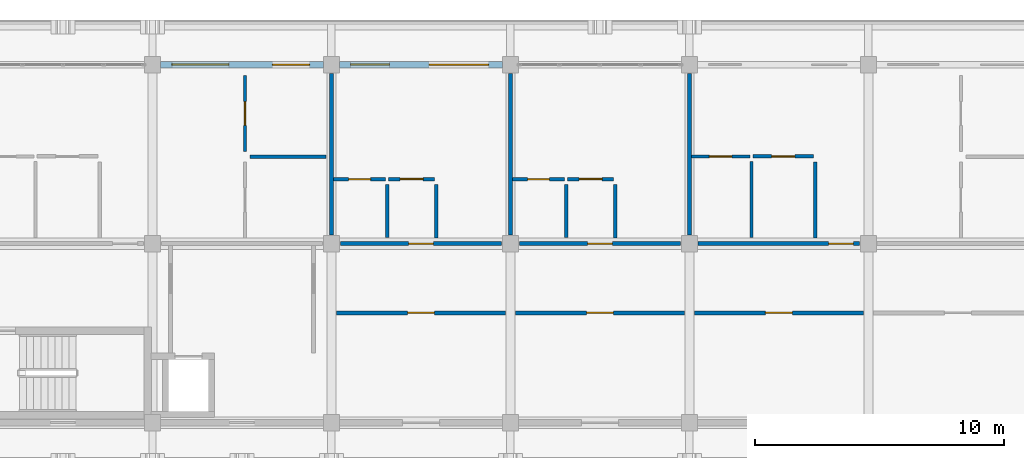
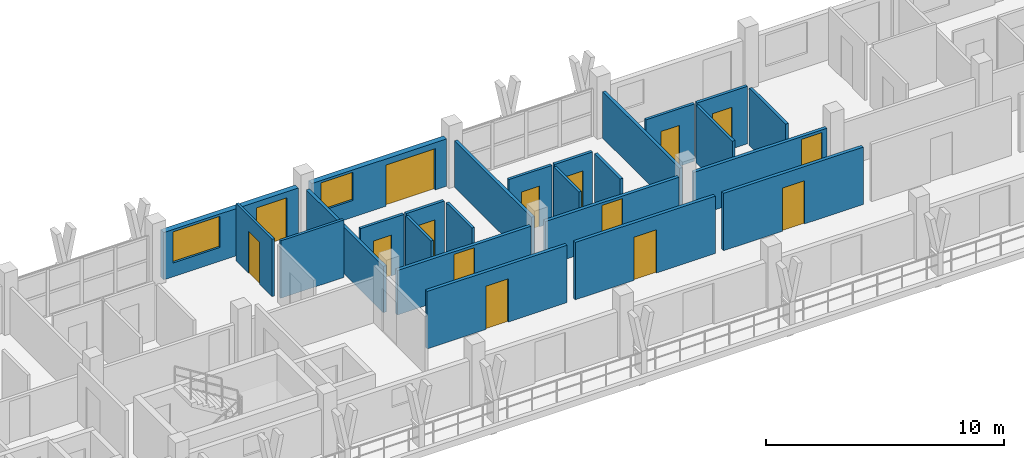
# One storey, part 49 of 78: 25 walls, 15 doors, 2 windows, 17 openings.
"""IFC4 building model written with IfcOpenShell, lengths in metres."""

from ifc_helpers import new_model, si_unit, direction, frame, frame_2d, origin, place, context, subcontext, project, spatial, rectangle, extrude, material, layer, layer_set, type_object, element, fill, save


model = new_model("IFC4")

# Units and contexts
model_context = context("Model", 3, precision=1e-05, world=origin(), true_north=direction((0.0, 1.0)))
body_context = subcontext(model_context, "Body", "Model", "MODEL_VIEW")
ifc_project = project(units=[si_unit("LENGTHUNIT", "METRE"), si_unit("AREAUNIT", "SQUARE_METRE"), si_unit("VOLUMEUNIT", "CUBIC_METRE"), si_unit("PLANEANGLEUNIT", "RADIAN"), si_unit("MASSUNIT", "GRAM", prefix="KILO")], contexts=[model_context])

# Site, building, storey
site_placement = place(None, origin())
site = spatial("IfcSite", under=ifc_project, at=site_placement, CompositionType="ELEMENT")
building_placement = place(site_placement, origin())
building = spatial("IfcBuilding", under=site, at=building_placement, Name="Suanplinth Sawtooth Commons", CompositionType="ELEMENT")
storey_placement = place(building_placement, frame((0.0, 0.0, 15.39990234375)))
storey = spatial("IfcBuildingStorey", under=building, at=storey_placement, Name="L04", CompositionType="ELEMENT", Elevation=15.39990234375)

# Wall, openings, door, window
ifc_material_1 = material(Name="Precast concrete C40/50", Category="concrete")
ifc_layer_1 = layer(ifc_material_1, 0.260009765625, Name="Insulated precast courtyard facade wall 260mm")
ifc_layer_set_1 = layer_set([ifc_layer_1], Name="Precast concrete C40/50")
wall_type_1 = type_object("IfcWallType", Name="W-EX02", PredefinedType="ELEMENTEDWALL", material=ifc_layer_set_1)
wall_1_placement = place(storey_placement, frame((65.125, 122.39990234375, 0.0), z_axis=(0.0, 0.0, 1.0), x_axis=(1.0, 0.0, 0.0)))
wall_1 = element("IfcWall", 1, at=wall_1_placement, inside=storey, type_object=wall_type_1, Name="Facade Wall W-L04-A-N-9", PredefinedType="ELEMENTEDWALL", context=body_context, shape_type="SweptSolid", body=[
    extrude(rectangle(XDim=6.550048828125, YDim=0.260009765625, at=frame_2d((3.27490234375, 0.0))), origin(), (0.0, 0.0, 1.0), 2.43017578125),
])
opening_1_placement = place(wall_1_placement, frame((4.5, 0.0, 0.0)))
opening_1 = element("IfcOpeningElement", 2, at=opening_1_placement, cuts=wall_1, Name="Opening ED0321", PredefinedType="OPENING", context=body_context, shape_type="SweptSolid", body=[
    extrude(rectangle(XDim=1.5, YDim=2.1201171875, at=frame_2d((0.75, 1.06005859375))), frame((0.0, 0.14501953125, 0.0), z_axis=(0.0, -1.0, 0.0), x_axis=(1.0, 0.0, 0.0)), (0.0, 0.0, 1.0), 0.289794921875),
])
opening_2_placement = place(wall_1_placement, frame((0.449951171875, 0.0, 0.7099609375)))
opening_2 = element("IfcOpeningElement", 3, at=opening_2_placement, cuts=wall_1, Name="Opening W0423", PredefinedType="OPENING", context=body_context, shape_type="SweptSolid", body=[
    extrude(rectangle(XDim=2.300048828125, YDim=1.60009765625, at=frame_2d((1.14990234375, 0.800048828125))), frame((0.0, 0.14501953125, 0.0), z_axis=(0.0, -1.0, 0.0), x_axis=(1.0, 0.0, 0.0)), (0.0, 0.0, 1.0), 0.289794921875),
])
ifc_material_2 = material(Name="Anodized aluminium and low-E glass", Category="aluminium")
door_type_1 = type_object("IfcDoorType", Name="SD-03", OperationType="SLIDING_TO_LEFT", PredefinedType="DOOR", material=ifc_material_2)
door_1_placement = place(opening_1_placement, frame((1.5, 0.0, 0.0), z_axis=(0.0, 0.0, 1.0), x_axis=(-1.0, 0.0, 0.0)))
door_1 = element("IfcDoor", 4, at=door_1_placement, inside=storey, type_object=door_type_1, Name="Balcony Sliding Door L04-A-N-9", OperationType="SLIDING_TO_LEFT", OverallHeight=2.1201171875, OverallWidth=1.5, PredefinedType="DOOR", context=body_context, shape_type="SweptSolid", body=[
    extrude(rectangle(XDim=1.5, YDim=2.1201171875, at=frame_2d((0.75, 1.06005859375))), frame((0.0, 0.02490234375, 0.0), z_axis=(0.0, -1.0, 0.0), x_axis=(1.0, 0.0, 0.0)), (0.0, 0.0, 1.0), 0.050048828125),
])
fill(opening_1, door_1)
ifc_material_3 = material(Name="Thermally broken aluminium and low-E double glazing", Category="aluminium")
window_type_1 = type_object("IfcWindowType", Name="WN-21", PartitioningType="TRIPLE_PANEL_VERTICAL", PredefinedType="WINDOW", material=ifc_material_3)
window_1_placement = place(opening_2_placement, origin())
window_1 = element("IfcWindow", 5, at=window_1_placement, inside=storey, type_object=window_type_1, Name="Window L04-A-N-9", OverallHeight=1.60009765625, OverallWidth=2.300048828125, PartitioningType="TRIPLE_PANEL_VERTICAL", PredefinedType="WINDOW", context=body_context, shape_type="SweptSolid", body=[
    extrude(rectangle(XDim=2.300048828125, YDim=1.60009765625, at=frame_2d((1.14990234375, 0.800048828125))), frame((0.0, 0.030029296875, 0.0), z_axis=(0.0, -1.0, 0.0), x_axis=(1.0, 0.0, 0.0)), (0.0, 0.0, 1.0), 0.06005859375),
])
fill(opening_2, window_1)

wall_2_placement = place(storey_placement, frame((72.324951171875, 122.39990234375, 0.0), z_axis=(0.0, 0.0, 1.0), x_axis=(1.0, 0.0, 0.0)))
wall_2 = element("IfcWall", 6, at=wall_2_placement, inside=storey, type_object=wall_type_1, Name="Facade Wall W-L04-A-N-10", PredefinedType="ELEMENTEDWALL", context=body_context, shape_type="SweptSolid", body=[
    extrude(rectangle(XDim=6.550048828125, YDim=0.260009765625, at=frame_2d((3.27490234375, 0.0))), origin(), (0.0, 0.0, 1.0), 2.43017578125),
])
opening_3_placement = place(wall_2_placement, frame((3.60009765625, 0.0, 0.0)))
opening_3 = element("IfcOpeningElement", 7, at=opening_3_placement, cuts=wall_2, Name="Opening ED0322", PredefinedType="OPENING", context=body_context, shape_type="SweptSolid", body=[
    extrude(rectangle(XDim=2.39990234375, YDim=2.1201171875, at=frame_2d((1.199951171875, 1.06005859375))), frame((0.0, 0.14501953125, 0.0), z_axis=(0.0, -1.0, 0.0), x_axis=(1.0, 0.0, 0.0)), (0.0, 0.0, 1.0), 0.289794921875),
])
opening_4_placement = place(wall_2_placement, frame((0.449951171875, 0.0, 0.860107421875)))
opening_4 = element("IfcOpeningElement", 8, at=opening_4_placement, cuts=wall_2, Name="Opening W0425", PredefinedType="OPENING", context=body_context, shape_type="SweptSolid", body=[
    extrude(rectangle(XDim=1.550048828125, YDim=1.449951171875, at=frame_2d((0.77490234375, 0.72509765625))), frame((0.0, 0.14501953125, 0.0), z_axis=(0.0, -1.0, 0.0), x_axis=(1.0, 0.0, 0.0)), (0.0, 0.0, 1.0), 0.289794921875),
])
door_type_2 = type_object("IfcDoorType", Name="SD-04", OperationType="DOUBLE_DOOR_SLIDING", PredefinedType="DOOR", material=ifc_material_2)
door_2_placement = place(opening_3_placement, frame((2.39990234375, 0.0, 0.0), z_axis=(0.0, 0.0, 1.0), x_axis=(-1.0, 0.0, 0.0)))
door_2 = element("IfcDoor", 9, at=door_2_placement, inside=storey, type_object=door_type_2, Name="Balcony Sliding Door L04-A-N-10", OperationType="DOUBLE_DOOR_SLIDING", OverallHeight=2.1201171875, OverallWidth=2.39990234375, PredefinedType="DOOR", context=body_context, shape_type="SweptSolid", body=[
    extrude(rectangle(XDim=2.39990234375, YDim=2.1201171875, at=frame_2d((1.199951171875, 1.06005859375))), frame((0.0, 0.02490234375, 0.0), z_axis=(0.0, -1.0, 0.0), x_axis=(1.0, 0.0, 0.0)), (0.0, 0.0, 1.0), 0.050048828125),
])
fill(opening_3, door_2)
window_type_2 = type_object("IfcWindowType", Name="WN-22", PartitioningType="DOUBLE_PANEL_VERTICAL", PredefinedType="WINDOW", material=ifc_material_3)
window_2_placement = place(opening_4_placement, origin())
window_2 = element("IfcWindow", 10, at=window_2_placement, inside=storey, type_object=window_type_2, Name="Window L04-A-N-10", OverallHeight=1.449951171875, OverallWidth=1.550048828125, PartitioningType="DOUBLE_PANEL_VERTICAL", PredefinedType="WINDOW", context=body_context, shape_type="SweptSolid", body=[
    extrude(rectangle(XDim=1.550048828125, YDim=1.449951171875, at=frame_2d((0.77490234375, 0.72509765625))), frame((0.0, 0.030029296875, 0.0), z_axis=(0.0, -1.0, 0.0), x_axis=(1.0, 0.0, 0.0)), (0.0, 0.0, 1.0), 0.06005859375),
])
fill(opening_4, window_2)

# Wall, opening, door
ifc_layer_2 = layer(ifc_material_1, 0.159912109375, Name="Fire-rated corridor and lobby wall 160mm")
ifc_layer_set_2 = layer_set([ifc_layer_2], Name="Precast concrete C40/50")
wall_type_2 = type_object("IfcWallType", Name="W-FW01", PredefinedType="PARTITIONING", material=ifc_layer_set_2)
wall_3_placement = place(storey_placement, frame((72.35498046875, 115.199951171875, 0.0), z_axis=(0.0, 0.0, 1.0), x_axis=(1.0, 0.0, 0.0)))
wall_3 = element("IfcWall", 11, at=wall_3_placement, inside=storey, type_object=wall_type_2, Name="W-A-L04-U08-COR", PredefinedType="PARTITIONING", context=body_context, shape_type="SweptSolid", body=[
    extrude(rectangle(XDim=6.489990234375, YDim=0.159912109375, at=frame_2d((3.2451171875, 0.0))), origin(), (0.0, 0.0, 1.0), 2.28515625),
])
opening_5_placement = place(wall_3_placement, frame((2.7451171875, 0.0, 0.0)))
opening_5 = element("IfcOpeningElement", 12, at=opening_5_placement, cuts=wall_3, Name="Opening FD1066", PredefinedType="OPENING", context=body_context, shape_type="SweptSolid", body=[
    extrude(rectangle(XDim=1.0, YDim=2.14990234375, at=frame_2d((0.5, 1.074951171875))), frame((0.0, 0.0947265625, 0.0), z_axis=(0.0, -1.0, 0.0), x_axis=(1.0, 0.0, 0.0)), (0.0, 0.0, 1.0), 0.189697265625),
])
ifc_material_4 = material(Name="Teak hardwood fire-rated door assembly", Category="wood")
door_type_3 = type_object("IfcDoorType", Name="FD-03", OperationType="NOTDEFINED", PredefinedType="DOOR", material=ifc_material_4)
door_3_placement = place(opening_5_placement, origin())
door_3 = element("IfcDoor", 13, at=door_3_placement, inside=storey, type_object=door_type_3, Name="Unit Entrance Door FD1066", OperationType="SINGLE_SWING_RIGHT", OverallHeight=2.14990234375, OverallWidth=1.0, PredefinedType="DOOR", context=body_context, shape_type="SweptSolid", body=[
    extrude(rectangle(XDim=1.0, YDim=2.14990234375, at=frame_2d((0.5, 1.074951171875))), frame((0.0, 0.02490234375, 0.0), z_axis=(0.0, -1.0, 0.0), x_axis=(1.0, 0.0, 0.0)), (0.0, 0.0, 1.0), 0.050048828125),
])
fill(opening_5, door_3)

wall_4_placement = place(storey_placement, frame((79.554931640625, 115.199951171875, 0.0), z_axis=(0.0, 0.0, 1.0), x_axis=(1.0, 0.0, 0.0)))
wall_4 = element("IfcWall", 14, at=wall_4_placement, inside=storey, type_object=wall_type_2, Name="W-A-L04-U09-COR", PredefinedType="PARTITIONING", context=body_context, shape_type="SweptSolid", body=[
    extrude(rectangle(XDim=6.489990234375, YDim=0.159912109375, at=frame_2d((3.2451171875, 0.0))), origin(), (0.0, 0.0, 1.0), 2.28515625),
])
opening_6_placement = place(wall_4_placement, frame((2.7451171875, 0.0, 0.0)))
opening_6 = element("IfcOpeningElement", 15, at=opening_6_placement, cuts=wall_4, Name="Opening FD1069", PredefinedType="OPENING", context=body_context, shape_type="SweptSolid", body=[
    extrude(rectangle(XDim=1.0, YDim=2.14990234375, at=frame_2d((0.5, 1.074951171875))), frame((0.0, 0.0947265625, 0.0), z_axis=(0.0, -1.0, 0.0), x_axis=(1.0, 0.0, 0.0)), (0.0, 0.0, 1.0), 0.189697265625),
])
door_4_placement = place(opening_6_placement, origin())
door_4 = element("IfcDoor", 16, at=door_4_placement, inside=storey, type_object=door_type_3, Name="Unit Entrance Door FD1069", OperationType="SINGLE_SWING_LEFT", OverallHeight=2.14990234375, OverallWidth=1.0, PredefinedType="DOOR", context=body_context, shape_type="SweptSolid", body=[
    extrude(rectangle(XDim=1.0, YDim=2.14990234375, at=frame_2d((0.5, 1.074951171875))), frame((0.0, 0.02490234375, 0.0), z_axis=(0.0, -1.0, 0.0), x_axis=(1.0, 0.0, 0.0)), (0.0, 0.0, 1.0), 0.050048828125),
])
fill(opening_6, door_4)

wall_5_placement = place(storey_placement, frame((86.7548828125, 115.199951171875, 0.0), z_axis=(0.0, 0.0, 1.0), x_axis=(1.0, 0.0, 0.0)))
wall_5 = element("IfcWall", 17, at=wall_5_placement, inside=storey, type_object=wall_type_2, Name="W-A-L04-U10-COR-S1", PredefinedType="PARTITIONING", context=body_context, shape_type="SweptSolid", body=[
    extrude(rectangle(XDim=6.490234375, YDim=0.159912109375, at=frame_2d((3.2451171875, 0.0))), origin(), (0.0, 0.0, 1.0), 2.28515625),
])
opening_7_placement = place(wall_5_placement, frame((5.2451171875, 0.0, 0.0)))
opening_7 = element("IfcOpeningElement", 18, at=opening_7_placement, cuts=wall_5, Name="Opening FD1072", PredefinedType="OPENING", context=body_context, shape_type="SweptSolid", body=[
    extrude(rectangle(XDim=1.0, YDim=2.14990234375, at=frame_2d((0.5, 1.074951171875))), frame((0.0, 0.0947265625, 0.0), z_axis=(0.0, -1.0, 0.0), x_axis=(1.0, 0.0, 0.0)), (0.0, 0.0, 1.0), 0.189697265625),
])
door_5_placement = place(opening_7_placement, origin())
door_5 = element("IfcDoor", 19, at=door_5_placement, inside=storey, type_object=door_type_3, Name="Unit Entrance Door FD1072", OperationType="SINGLE_SWING_RIGHT", OverallHeight=2.14990234375, OverallWidth=1.0, PredefinedType="DOOR", context=body_context, shape_type="SweptSolid", body=[
    extrude(rectangle(XDim=1.0, YDim=2.14990234375, at=frame_2d((0.5, 1.074951171875))), frame((0.0, 0.02490234375, 0.0), z_axis=(0.0, -1.0, 0.0), x_axis=(1.0, 0.0, 0.0)), (0.0, 0.0, 1.0), 0.050048828125),
])
fill(opening_7, door_5)

wall_6_placement = place(storey_placement, frame((72.199951171875, 112.419921875, 0.0), z_axis=(0.0, 0.0, 1.0), x_axis=(1.0, 0.0, 0.0)))
wall_6 = element("IfcWall", 20, at=wall_6_placement, inside=storey, type_object=wall_type_2, Name="W-A-L04-COURTROOM-18-COR", PredefinedType="PARTITIONING", context=body_context, shape_type="SweptSolid", body=[
    extrude(rectangle(XDim=6.800048828125, YDim=0.159912109375, at=frame_2d((3.39990234375, 0.0))), origin(), (0.0, 0.0, 1.0), 2.9501953125),
])
opening_8_placement = place(wall_6_placement, frame((2.860107421875, 0.0, 0.0)))
opening_8 = element("IfcOpeningElement", 21, at=opening_8_placement, cuts=wall_6, Name="Opening D1089", PredefinedType="OPENING", context=body_context, shape_type="SweptSolid", body=[
    extrude(rectangle(XDim=1.080078125, YDim=2.219970703125, at=frame_2d((0.5400390625, 1.10986328125))), frame((0.0, 0.0947265625, 0.0), z_axis=(0.0, -1.0, 0.0), x_axis=(1.0, 0.0, 0.0)), (0.0, 0.0, 1.0), 0.189697265625),
])
ifc_material_5 = material(Name="Teak hardwood", Category="wood")
door_type_4 = type_object("IfcDoorType", Name="D-17", OperationType="NOTDEFINED", PredefinedType="DOOR", material=ifc_material_5)
door_6_placement = place(opening_8_placement, frame((1.080078125, 0.0, 0.0), z_axis=(0.0, 0.0, 1.0), x_axis=(-1.0, 0.0, 0.0)))
door_6 = element("IfcDoor", 22, at=door_6_placement, inside=storey, type_object=door_type_4, Name="Study Studio Door D1089", OperationType="SINGLE_SWING_LEFT", OverallHeight=2.219970703125, OverallWidth=1.080078125, PredefinedType="DOOR", context=body_context, shape_type="SweptSolid", body=[
    extrude(rectangle(XDim=1.080078125, YDim=2.219970703125, at=frame_2d((0.5400390625, 1.10986328125))), frame((0.0, 0.02490234375, 0.0), z_axis=(0.0, -1.0, 0.0), x_axis=(1.0, 0.0, 0.0)), (0.0, 0.0, 1.0), 0.050048828125),
])
fill(opening_8, door_6)

wall_7_placement = place(storey_placement, frame((79.39990234375, 112.419921875, 0.0), z_axis=(0.0, 0.0, 1.0), x_axis=(1.0, 0.0, 0.0)))
wall_7 = element("IfcWall", 23, at=wall_7_placement, inside=storey, type_object=wall_type_2, Name="W-A-L04-COURTROOM-19-COR", PredefinedType="PARTITIONING", context=body_context, shape_type="SweptSolid", body=[
    extrude(rectangle(XDim=6.800048828125, YDim=0.159912109375, at=frame_2d((3.39990234375, 0.0))), origin(), (0.0, 0.0, 1.0), 2.9501953125),
])
opening_9_placement = place(wall_7_placement, frame((2.860107421875, 0.0, 0.0)))
opening_9 = element("IfcOpeningElement", 24, at=opening_9_placement, cuts=wall_7, Name="Opening D1090", PredefinedType="OPENING", context=body_context, shape_type="SweptSolid", body=[
    extrude(rectangle(XDim=1.080078125, YDim=2.219970703125, at=frame_2d((0.5400390625, 1.10986328125))), frame((0.0, 0.0947265625, 0.0), z_axis=(0.0, -1.0, 0.0), x_axis=(1.0, 0.0, 0.0)), (0.0, 0.0, 1.0), 0.189697265625),
])
door_7_placement = place(opening_9_placement, frame((1.080078125, 0.0, 0.0), z_axis=(0.0, 0.0, 1.0), x_axis=(-1.0, 0.0, 0.0)))
door_7 = element("IfcDoor", 25, at=door_7_placement, inside=storey, type_object=door_type_4, Name="Study Studio Door D1090", OperationType="SINGLE_SWING_RIGHT", OverallHeight=2.219970703125, OverallWidth=1.080078125, PredefinedType="DOOR", context=body_context, shape_type="SweptSolid", body=[
    extrude(rectangle(XDim=1.080078125, YDim=2.219970703125, at=frame_2d((0.5400390625, 1.10986328125))), frame((0.0, 0.02490234375, 0.0), z_axis=(0.0, -1.0, 0.0), x_axis=(1.0, 0.0, 0.0)), (0.0, 0.0, 1.0), 0.050048828125),
])
fill(opening_9, door_7)

wall_8_placement = place(storey_placement, frame((86.60009765625, 112.419921875, 0.0), z_axis=(0.0, 0.0, 1.0), x_axis=(1.0, 0.0, 0.0)))
wall_8 = element("IfcWall", 26, at=wall_8_placement, inside=storey, type_object=wall_type_2, Name="W-A-L04-COURTROOM-20-COR", PredefinedType="PARTITIONING", context=body_context, shape_type="SweptSolid", body=[
    extrude(rectangle(XDim=6.7998046875, YDim=0.159912109375, at=frame_2d((3.39990234375, 0.0))), origin(), (0.0, 0.0, 1.0), 2.9501953125),
])
opening_10_placement = place(wall_8_placement, frame((2.860107421875, 0.0, 0.0)))
opening_10 = element("IfcOpeningElement", 27, at=opening_10_placement, cuts=wall_8, Name="Opening D1091", PredefinedType="OPENING", context=body_context, shape_type="SweptSolid", body=[
    extrude(rectangle(XDim=1.080078125, YDim=2.219970703125, at=frame_2d((0.5400390625, 1.10986328125))), frame((0.0, 0.0947265625, 0.0), z_axis=(0.0, -1.0, 0.0), x_axis=(1.0, 0.0, 0.0)), (0.0, 0.0, 1.0), 0.189697265625),
])
door_8_placement = place(opening_10_placement, frame((1.080078125, 0.0, 0.0), z_axis=(0.0, 0.0, 1.0), x_axis=(-1.0, 0.0, 0.0)))
door_8 = element("IfcDoor", 28, at=door_8_placement, inside=storey, type_object=door_type_4, Name="Study Studio Door D1091", OperationType="SINGLE_SWING_LEFT", OverallHeight=2.219970703125, OverallWidth=1.080078125, PredefinedType="DOOR", context=body_context, shape_type="SweptSolid", body=[
    extrude(rectangle(XDim=1.080078125, YDim=2.219970703125, at=frame_2d((0.5400390625, 1.10986328125))), frame((0.0, 0.02490234375, 0.0), z_axis=(0.0, -1.0, 0.0), x_axis=(1.0, 0.0, 0.0)), (0.0, 0.0, 1.0), 0.050048828125),
])
fill(opening_10, door_8)

# Walls
ifc_layer_3 = layer(ifc_material_1, 0.14990234375, Name="Acoustic precast party demising wall 150mm")
ifc_layer_set_3 = layer_set([ifc_layer_3], Name="Precast concrete C40/50")
wall_type_3 = type_object("IfcWallType", Name="W-FW02", PredefinedType="PARTITIONING", material=ifc_layer_set_3)
for number, where, z_axis, x_axis, name in (
    (29, (72.0, 115.554931640625, 0.0), (0.0, 0.0, 1.0), (0.0, 1.0, 0.0), "W-A-L04-U07-PTY"),
    (30, (79.199951171875, 115.554931640625, 0.0), (0.0, 0.0, 1.0), (0.0, 1.0, 0.0), "W-A-L04-U08-PTY"),
    (31, (86.39990234375, 115.554931640625, 0.0), (0.0, 0.0, 1.0), (0.0, 1.0, 0.0), "W-A-L04-U09-PTY"),
):
    element("IfcWall", number, at=place(storey_placement, frame(where, z_axis=z_axis, x_axis=x_axis)), inside=storey, type_object=wall_type_3, Name=name, PredefinedType="PARTITIONING", context=body_context, shape_type="SweptSolid", body=[
        extrude(rectangle(XDim=6.489990234375, YDim=0.14990234375, at=frame_2d((3.2451171875, 0.0))), origin(), (0.0, 0.0, 1.0), 2.385009765625),
    ])

# Wall, opening, door
ifc_material_6 = material(Name="Gypsum plasterboard on steel stud", Category="steel")
ifc_layer_4 = layer(ifc_material_6, 0.139892578125, Name="Fire-rated kitchen partition 140mm")
ifc_layer_set_4 = layer_set([ifc_layer_4], Name="Gypsum plasterboard on steel stud")
wall_type_4 = type_object("IfcWallType", Name="W-PT01", PredefinedType="PARTITIONING", material=ifc_layer_set_4)
wall_9_placement = place(storey_placement, frame((74.300048828125, 117.800048828125, 0.0), z_axis=(0.0, 0.0, 1.0), x_axis=(1.0, 0.0, 0.0)))
wall_9 = element("IfcWall", 32, at=wall_9_placement, inside=storey, type_object=wall_type_4, Name="W-A-L04-U08-KIT1", PredefinedType="PARTITIONING", context=body_context, shape_type="SweptSolid", body=[
    extrude(rectangle(XDim=1.849853515625, YDim=0.139892578125, at=frame_2d((0.9248046875, 0.0))), origin(), (0.0, 0.0, 1.0), 2.9501953125),
])
opening_11_placement = place(wall_9_placement, frame((0.4599609375, 0.0, 0.0)))
opening_11 = element("IfcOpeningElement", 33, at=opening_11_placement, cuts=wall_9, Name="Opening D1068", PredefinedType="OPENING", context=body_context, shape_type="SweptSolid", body=[
    extrude(rectangle(XDim=0.929931640625, YDim=2.139892578125, at=frame_2d((0.46484375, 1.06982421875))), frame((0.0, 0.0849609375, 0.0), z_axis=(0.0, -1.0, 0.0), x_axis=(1.0, 0.0, 0.0)), (0.0, 0.0, 1.0), 0.169677734375),
])
door_type_5 = type_object("IfcDoorType", Name="D-19", OperationType="NOTDEFINED", PredefinedType="DOOR", material=ifc_material_5)
door_9_placement = place(opening_11_placement, frame((0.929931640625, 0.0, 0.0), z_axis=(0.0, 0.0, 1.0), x_axis=(-1.0, 0.0, 0.0)))
door_9 = element("IfcDoor", 34, at=door_9_placement, inside=storey, type_object=door_type_5, Name="Kitchen Door D1068", OperationType="SINGLE_SWING_RIGHT", OverallHeight=2.139892578125, OverallWidth=0.929931640625, PredefinedType="DOOR", context=body_context, shape_type="SweptSolid", body=[
    extrude(rectangle(XDim=0.929931640625, YDim=2.139892578125, at=frame_2d((0.46484375, 1.06982421875))), frame((0.0, 0.02490234375, 0.0), z_axis=(0.0, -1.0, 0.0), x_axis=(1.0, 0.0, 0.0)), (0.0, 0.0, 1.0), 0.050048828125),
])
fill(opening_11, door_9)

# Wall
wall_10_placement = place(storey_placement, frame((76.219970703125, 115.429931640625, 0.0), z_axis=(0.0, 0.0, 1.0), x_axis=(0.0, 1.0, 0.0)))
element("IfcWall", 35, at=wall_10_placement, inside=storey, type_object=wall_type_4, Name="W-A-L04-U08-KIT2", PredefinedType="PARTITIONING", context=body_context, shape_type="SweptSolid", body=[
    extrude(rectangle(XDim=2.150146484375, YDim=0.139892578125, at=frame_2d((1.0751953125, 0.0))), origin(), (0.0, 0.0, 1.0), 2.9501953125),
])

# Wall, opening, door
wall_11_placement = place(storey_placement, frame((81.5, 117.800048828125, 0.0), z_axis=(0.0, 0.0, 1.0), x_axis=(1.0, 0.0, 0.0)))
wall_11 = element("IfcWall", 36, at=wall_11_placement, inside=storey, type_object=wall_type_4, Name="W-A-L04-U09-KIT1", PredefinedType="PARTITIONING", context=body_context, shape_type="SweptSolid", body=[
    extrude(rectangle(XDim=1.85009765625, YDim=0.139892578125, at=frame_2d((0.925048828125, 0.0))), origin(), (0.0, 0.0, 1.0), 2.9501953125),
])
opening_12_placement = place(wall_11_placement, frame((0.4599609375, 0.0, 0.0)))
opening_12 = element("IfcOpeningElement", 37, at=opening_12_placement, cuts=wall_11, Name="Opening D1071", PredefinedType="OPENING", context=body_context, shape_type="SweptSolid", body=[
    extrude(rectangle(XDim=0.929931640625, YDim=2.139892578125, at=frame_2d((0.46484375, 1.06982421875))), frame((0.0, 0.0849609375, 0.0), z_axis=(0.0, -1.0, 0.0), x_axis=(1.0, 0.0, 0.0)), (0.0, 0.0, 1.0), 0.169677734375),
])
door_10_placement = place(opening_12_placement, frame((0.929931640625, 0.0, 0.0), z_axis=(0.0, 0.0, 1.0), x_axis=(-1.0, 0.0, 0.0)))
door_10 = element("IfcDoor", 38, at=door_10_placement, inside=storey, type_object=door_type_5, Name="Kitchen Door D1071", OperationType="SINGLE_SWING_LEFT", OverallHeight=2.139892578125, OverallWidth=0.929931640625, PredefinedType="DOOR", context=body_context, shape_type="SweptSolid", body=[
    extrude(rectangle(XDim=0.929931640625, YDim=2.139892578125, at=frame_2d((0.46484375, 1.06982421875))), frame((0.0, 0.02490234375, 0.0), z_axis=(0.0, -1.0, 0.0), x_axis=(1.0, 0.0, 0.0)), (0.0, 0.0, 1.0), 0.050048828125),
])
fill(opening_12, door_10)

# Wall
wall_12_placement = place(storey_placement, frame((83.419921875, 115.429931640625, 0.0), z_axis=(0.0, 0.0, 1.0), x_axis=(0.0, 1.0, 0.0)))
element("IfcWall", 39, at=wall_12_placement, inside=storey, type_object=wall_type_4, Name="W-A-L04-U09-KIT2", PredefinedType="PARTITIONING", context=body_context, shape_type="SweptSolid", body=[
    extrude(rectangle(XDim=2.150146484375, YDim=0.139892578125, at=frame_2d((1.0751953125, 0.0))), origin(), (0.0, 0.0, 1.0), 2.9501953125),
])

# Wall, opening, door
wall_13_placement = place(storey_placement, frame((88.949951171875, 118.7099609375, 0.0), z_axis=(0.0, 0.0, 1.0), x_axis=(1.0, 0.0, 0.0)))
wall_13 = element("IfcWall", 40, at=wall_13_placement, inside=storey, type_object=wall_type_4, Name="W-A-L04-U10-KIT1", PredefinedType="PARTITIONING", context=body_context, shape_type="SweptSolid", body=[
    extrude(rectangle(XDim=2.449951171875, YDim=0.139892578125, at=frame_2d((1.22509765625, 0.0))), origin(), (0.0, 0.0, 1.0), 2.9501953125),
])
opening_13_placement = place(wall_13_placement, frame((0.760009765625, 0.0, 0.0)))
opening_13 = element("IfcOpeningElement", 41, at=opening_13_placement, cuts=wall_13, Name="Opening D1074", PredefinedType="OPENING", context=body_context, shape_type="SweptSolid", body=[
    extrude(rectangle(XDim=0.929931640625, YDim=2.139892578125, at=frame_2d((0.46484375, 1.06982421875))), frame((0.0, 0.0849609375, 0.0), z_axis=(0.0, -1.0, 0.0), x_axis=(1.0, 0.0, 0.0)), (0.0, 0.0, 1.0), 0.169677734375),
])
door_11_placement = place(opening_13_placement, frame((0.929931640625, 0.0, 0.0), z_axis=(0.0, 0.0, 1.0), x_axis=(-1.0, 0.0, 0.0)))
door_11 = element("IfcDoor", 42, at=door_11_placement, inside=storey, type_object=door_type_5, Name="Kitchen Door D1074", OperationType="SINGLE_SWING_RIGHT", OverallHeight=2.139892578125, OverallWidth=0.929931640625, PredefinedType="DOOR", context=body_context, shape_type="SweptSolid", body=[
    extrude(rectangle(XDim=0.929931640625, YDim=2.139892578125, at=frame_2d((0.46484375, 1.06982421875))), frame((0.0, 0.02490234375, 0.0), z_axis=(0.0, -1.0, 0.0), x_axis=(1.0, 0.0, 0.0)), (0.0, 0.0, 1.0), 0.050048828125),
])
fill(opening_13, door_11)

# Wall
wall_14_placement = place(storey_placement, frame((91.469970703125, 115.429931640625, 0.0), z_axis=(0.0, 0.0, 1.0), x_axis=(0.0, 1.0, 0.0)))
element("IfcWall", 43, at=wall_14_placement, inside=storey, type_object=wall_type_4, Name="W-A-L04-U10-KIT2", PredefinedType="PARTITIONING", context=body_context, shape_type="SweptSolid", body=[
    extrude(rectangle(XDim=3.06005859375, YDim=0.139892578125, at=frame_2d((1.530029296875, 0.0))), origin(), (0.0, 0.0, 1.0), 2.9501953125),
])

# Wall, opening, door
ifc_layer_5 = layer(ifc_material_6, 0.1298828125, Name="Moisture-resistant bathroom partition 130mm")
ifc_layer_set_5 = layer_set([ifc_layer_5], Name="Gypsum plasterboard on steel stud")
wall_type_5 = type_object("IfcWallType", Name="W-PT02", PredefinedType="PARTITIONING", material=ifc_layer_set_5)
wall_15_placement = place(storey_placement, frame((72.080078125, 117.794921875, 0.0), z_axis=(0.0, 0.0, 1.0), x_axis=(1.0, 0.0, 0.0)))
wall_15 = element("IfcWall", 44, at=wall_15_placement, inside=storey, type_object=wall_type_5, Name="W-A-L04-U08-BTH1", PredefinedType="PARTITIONING", context=body_context, shape_type="SweptSolid", body=[
    extrude(rectangle(XDim=2.099853515625, YDim=0.1298828125, at=frame_2d((1.0498046875, 0.0))), origin(), (0.0, 0.0, 1.0), 2.9501953125),
])
opening_14_placement = place(wall_15_placement, frame((0.610107421875, 0.0, 0.0)))
opening_14 = element("IfcOpeningElement", 45, at=opening_14_placement, cuts=wall_15, Name="Opening D1067", PredefinedType="OPENING", context=body_context, shape_type="SweptSolid", body=[
    extrude(rectangle(XDim=0.8798828125, YDim=2.10009765625, at=frame_2d((0.43994140625, 1.050048828125))), frame((0.0, 0.079833984375, 0.0), z_axis=(0.0, -1.0, 0.0), x_axis=(1.0, 0.0, 0.0)), (0.0, 0.0, 1.0), 0.15966796875),
])
door_type_6 = type_object("IfcDoorType", Name="D-14", OperationType="NOTDEFINED", PredefinedType="DOOR", material=ifc_material_5)
door_12_placement = place(opening_14_placement, frame((0.8798828125, 0.0, 0.0), z_axis=(0.0, 0.0, 1.0), x_axis=(-1.0, 0.0, 0.0)))
door_12 = element("IfcDoor", 46, at=door_12_placement, inside=storey, type_object=door_type_6, Name="Bathroom Door D1067", OperationType="SINGLE_SWING_LEFT", OverallHeight=2.10009765625, OverallWidth=0.8798828125, PredefinedType="DOOR", context=body_context, shape_type="SweptSolid", body=[
    extrude(rectangle(XDim=0.8798828125, YDim=2.10009765625, at=frame_2d((0.43994140625, 1.050048828125))), frame((0.0, 0.02490234375, 0.0), z_axis=(0.0, -1.0, 0.0), x_axis=(1.0, 0.0, 0.0)), (0.0, 0.0, 1.0), 0.050048828125),
])
fill(opening_14, door_12)

# Wall
wall_16_placement = place(storey_placement, frame((74.2451171875, 115.4599609375, 0.0), z_axis=(0.0, 0.0, 1.0), x_axis=(0.0, 1.0, 0.0)))
element("IfcWall", 47, at=wall_16_placement, inside=storey, type_object=wall_type_5, Name="W-A-L04-U08-BTH2", PredefinedType="PARTITIONING", context=body_context, shape_type="SweptSolid", body=[
    extrude(rectangle(XDim=2.130126953125, YDim=0.1298828125, at=frame_2d((1.06494140625, 0.0))), origin(), (0.0, 0.0, 1.0), 2.9501953125),
])

# Wall, opening, door
wall_17_placement = place(storey_placement, frame((79.280029296875, 117.794921875, 0.0), z_axis=(0.0, 0.0, 1.0), x_axis=(1.0, 0.0, 0.0)))
wall_17 = element("IfcWall", 48, at=wall_17_placement, inside=storey, type_object=wall_type_5, Name="W-A-L04-U09-BTH1", PredefinedType="PARTITIONING", context=body_context, shape_type="SweptSolid", body=[
    extrude(rectangle(XDim=2.099853515625, YDim=0.1298828125, at=frame_2d((1.0498046875, 0.0))), origin(), (0.0, 0.0, 1.0), 2.9501953125),
])
opening_15_placement = place(wall_17_placement, frame((0.610107421875, 0.0, 0.0)))
opening_15 = element("IfcOpeningElement", 49, at=opening_15_placement, cuts=wall_17, Name="Opening D1070", PredefinedType="OPENING", context=body_context, shape_type="SweptSolid", body=[
    extrude(rectangle(XDim=0.8798828125, YDim=2.10009765625, at=frame_2d((0.43994140625, 1.050048828125))), frame((0.0, 0.079833984375, 0.0), z_axis=(0.0, -1.0, 0.0), x_axis=(1.0, 0.0, 0.0)), (0.0, 0.0, 1.0), 0.15966796875),
])
door_13_placement = place(opening_15_placement, frame((0.8798828125, 0.0, 0.0), z_axis=(0.0, 0.0, 1.0), x_axis=(-1.0, 0.0, 0.0)))
door_13 = element("IfcDoor", 50, at=door_13_placement, inside=storey, type_object=door_type_6, Name="Bathroom Door D1070", OperationType="SINGLE_SWING_RIGHT", OverallHeight=2.10009765625, OverallWidth=0.8798828125, PredefinedType="DOOR", context=body_context, shape_type="SweptSolid", body=[
    extrude(rectangle(XDim=0.8798828125, YDim=2.10009765625, at=frame_2d((0.43994140625, 1.050048828125))), frame((0.0, 0.02490234375, 0.0), z_axis=(0.0, -1.0, 0.0), x_axis=(1.0, 0.0, 0.0)), (0.0, 0.0, 1.0), 0.050048828125),
])
fill(opening_15, door_13)

# Wall
wall_18_placement = place(storey_placement, frame((81.445068359375, 115.4599609375, 0.0), z_axis=(0.0, 0.0, 1.0), x_axis=(0.0, 1.0, 0.0)))
element("IfcWall", 51, at=wall_18_placement, inside=storey, type_object=wall_type_5, Name="W-A-L04-U09-BTH2", PredefinedType="PARTITIONING", context=body_context, shape_type="SweptSolid", body=[
    extrude(rectangle(XDim=2.130126953125, YDim=0.1298828125, at=frame_2d((1.06494140625, 0.0))), origin(), (0.0, 0.0, 1.0), 2.9501953125),
])

# Wall, opening, door
wall_19_placement = place(storey_placement, frame((86.47998046875, 118.705078125, 0.0), z_axis=(0.0, 0.0, 1.0), x_axis=(1.0, 0.0, 0.0)))
wall_19 = element("IfcWall", 52, at=wall_19_placement, inside=storey, type_object=wall_type_5, Name="W-A-L04-U10-BTH1", PredefinedType="PARTITIONING", context=body_context, shape_type="SweptSolid", body=[
    extrude(rectangle(XDim=2.35009765625, YDim=0.1298828125, at=frame_2d((1.175048828125, 0.0))), origin(), (0.0, 0.0, 1.0), 2.9501953125),
])
opening_16_placement = place(wall_19_placement, frame((0.72509765625, 0.0, 0.0)))
opening_16 = element("IfcOpeningElement", 53, at=opening_16_placement, cuts=wall_19, Name="Opening D1073", PredefinedType="OPENING", context=body_context, shape_type="SweptSolid", body=[
    extrude(rectangle(XDim=0.89990234375, YDim=2.10009765625, at=frame_2d((0.449951171875, 1.050048828125))), frame((0.0, 0.079833984375, 0.0), z_axis=(0.0, -1.0, 0.0), x_axis=(1.0, 0.0, 0.0)), (0.0, 0.0, 1.0), 0.15966796875),
])
door_type_7 = type_object("IfcDoorType", Name="D-01", OperationType="NOTDEFINED", PredefinedType="DOOR", material=ifc_material_5)
door_14_placement = place(opening_16_placement, frame((0.89990234375, 0.0, 0.0), z_axis=(0.0, 0.0, 1.0), x_axis=(-1.0, 0.0, 0.0)))
door_14 = element("IfcDoor", 54, at=door_14_placement, inside=storey, type_object=door_type_7, Name="Bathroom Door D1073", OperationType="SINGLE_SWING_LEFT", OverallHeight=2.10009765625, OverallWidth=0.89990234375, PredefinedType="DOOR", context=body_context, shape_type="SweptSolid", body=[
    extrude(rectangle(XDim=0.89990234375, YDim=2.10009765625, at=frame_2d((0.449951171875, 1.050048828125))), frame((0.0, 0.02490234375, 0.0), z_axis=(0.0, -1.0, 0.0), x_axis=(1.0, 0.0, 0.0)), (0.0, 0.0, 1.0), 0.050048828125),
])
fill(opening_16, door_14)

# Wall
wall_20_placement = place(storey_placement, frame((88.89501953125, 115.4599609375, 0.0), z_axis=(0.0, 0.0, 1.0), x_axis=(0.0, 1.0, 0.0)))
element("IfcWall", 55, at=wall_20_placement, inside=storey, type_object=wall_type_5, Name="W-A-L04-U10-BTH2", PredefinedType="PARTITIONING", context=body_context, shape_type="SweptSolid", body=[
    extrude(rectangle(XDim=3.0400390625, YDim=0.1298828125, at=frame_2d((1.52001953125, 0.0))), origin(), (0.0, 0.0, 1.0), 2.9501953125),
])

# Wall, opening, door
ifc_layer_6 = layer(ifc_material_6, 0.1201171875, Name="Acoustic bedroom partition 120mm")
ifc_layer_set_6 = layer_set([ifc_layer_6], Name="Gypsum plasterboard on steel stud")
wall_type_6 = type_object("IfcWallType", Name="W-PT03", PredefinedType="PARTITIONING", material=ifc_layer_set_6)
wall_21_placement = place(storey_placement, frame((68.52001953125, 118.919921875, 0.0), z_axis=(0.0, 0.0, 1.0), x_axis=(0.0, 1.0, 0.0)))
wall_21 = element("IfcWall", 56, at=wall_21_placement, inside=storey, type_object=wall_type_6, Name="W-A-L04-U07-BED1", PredefinedType="PARTITIONING", context=body_context, shape_type="SweptSolid", body=[
    extrude(rectangle(XDim=3.0400390625, YDim=0.1201171875, at=frame_2d((1.52001953125, 0.0))), origin(), (0.0, 0.0, 1.0), 2.9501953125),
])
opening_17_placement = place(wall_21_placement, frame((1.044921875, 0.0, 0.0)))
opening_17 = element("IfcOpeningElement", 57, at=opening_17_placement, cuts=wall_21, Name="Opening D1064", PredefinedType="OPENING", context=body_context, shape_type="SweptSolid", body=[
    extrude(rectangle(XDim=0.949951171875, YDim=2.14990234375, at=frame_2d((0.47509765625, 1.074951171875))), frame((0.0, 0.074951171875, 0.0), z_axis=(0.0, -1.0, 0.0), x_axis=(1.0, 0.0, 0.0)), (0.0, 0.0, 1.0), 0.14990234375),
])
door_type_8 = type_object("IfcDoorType", Name="D-03", OperationType="NOTDEFINED", PredefinedType="DOOR", material=ifc_material_5)
door_15_placement = place(opening_17_placement, frame((0.949951171875, 0.0, 0.0), z_axis=(0.0, 0.0, 1.0), x_axis=(-1.0, 0.0, 0.0)))
door_15 = element("IfcDoor", 58, at=door_15_placement, inside=storey, type_object=door_type_8, Name="Bedroom Door D1064", OperationType="SINGLE_SWING_RIGHT", OverallHeight=2.14990234375, OverallWidth=0.949951171875, PredefinedType="DOOR", context=body_context, shape_type="SweptSolid", body=[
    extrude(rectangle(XDim=0.949951171875, YDim=2.14990234375, at=frame_2d((0.47509765625, 1.074951171875))), frame((0.0, 0.02490234375, 0.0), z_axis=(0.0, -1.0, 0.0), x_axis=(1.0, 0.0, 0.0)), (0.0, 0.0, 1.0), 0.050048828125),
])
fill(opening_17, door_15)

# Wall
ifc_layer_7 = layer(ifc_material_6, 0.125, Name="Acoustic study partition 125mm")
ifc_layer_set_7 = layer_set([ifc_layer_7], Name="Gypsum plasterboard on steel stud")
wall_type_7 = type_object("IfcWallType", Name="W-PT06", PredefinedType="PARTITIONING", material=ifc_layer_set_7)
wall_22_placement = place(storey_placement, frame((68.719970703125, 118.699951171875, 0.0), z_axis=(0.0, 0.0, 1.0), x_axis=(1.0, 0.0, 0.0)))
element("IfcWall", 59, at=wall_22_placement, inside=storey, type_object=wall_type_7, Name="W-A-L04-U07-BEDDIV", PredefinedType="PARTITIONING", context=body_context, shape_type="SweptSolid", body=[
    extrude(rectangle(XDim=3.06005859375, YDim=0.125, at=frame_2d((1.530029296875, 0.0))), origin(), (0.0, 0.0, 1.0), 2.9501953125),
])

save(model, "model.ifc")
